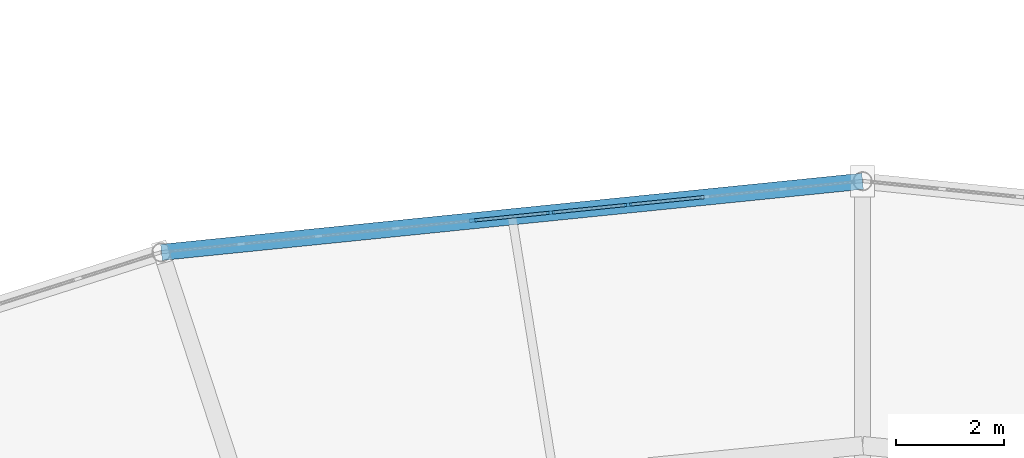
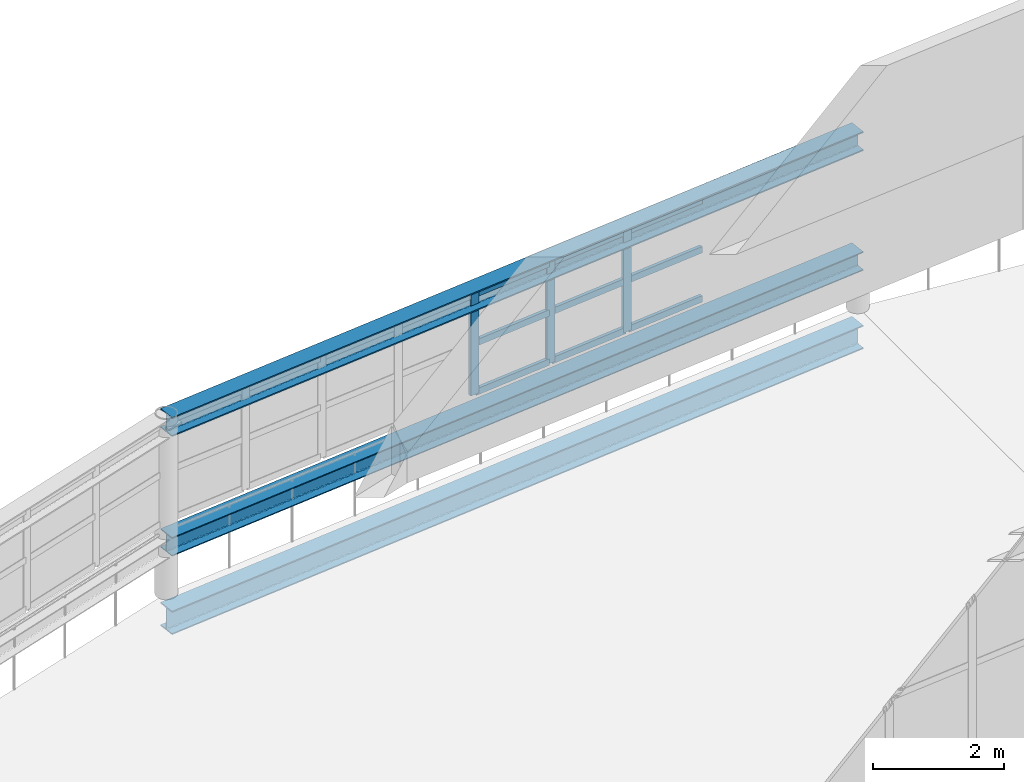
# One storey, part 72 of 123: 12 members, 3 beams, 1 element without a shape of its own.
"""IFC4 building model written with IfcOpenShell, lengths in metres."""

from ifc_helpers import new_model, si_unit, direction, frame, origin, origin_2d, place, context, subcontext, project, spatial, rectangle, i_section, extrude, material, material_profile, profile_set, type_object, element, aggregate, save


model = new_model("IFC4")

# Units and contexts
model_context = context("Model", 3, precision=1e-05, world=origin(), true_north=direction((0.0, 1.0)))
body_context = subcontext(model_context, "Body", "Model", "MODEL_VIEW")
ifc_project = project(units=[si_unit("LENGTHUNIT", "METRE"), si_unit("AREAUNIT", "SQUARE_METRE"), si_unit("VOLUMEUNIT", "CUBIC_METRE"), si_unit("PLANEANGLEUNIT", "RADIAN"), si_unit("MASSUNIT", "GRAM", prefix="KILO")], contexts=[model_context])

# Site, building, storey
site_placement = place(None, origin())
site = spatial("IfcSite", under=ifc_project, at=site_placement, CompositionType="ELEMENT")
building_placement = place(site_placement, origin())
building = spatial("IfcBuilding", under=site, at=building_placement, Name="Kildeholm Park Wholesale Market", CompositionType="ELEMENT")
storey_placement = place(building_placement, frame((0.0, 0.0, 9.60009765625)))
storey = spatial("IfcBuildingStorey", under=building, at=storey_placement, Name="L02", CompositionType="ELEMENT", Elevation=9.60009765625)

# Beams
ifc_material_1 = material(Name="Steel S355", Category="steel")
ifc_material_profile_1 = material_profile(ifc_material_1, i_section(OverallWidth=0.300048828125, OverallDepth=0.35009765625, WebThickness=0.010009765625, FlangeThickness=0.017578125, FilletRadius=0.027099609375, at=origin_2d()), Name="HEA 360")
ifc_profile_set_1 = profile_set([ifc_material_profile_1], Name="Steel S355")
beam_type_1 = type_object("IfcBeamType", Name="Beam B-R01 HEA 360", PredefinedType="BEAM", material=ifc_profile_set_1)
beam_1_placement = place(storey_placement, frame((99.0, 128.199951171875, 0.94775390625), z_axis=(-0.994887827563, -0.100986189979, 0.0), x_axis=(0.100986189979, -0.994887827563, 0.0)))
element("IfcBeam", 1, at=beam_1_placement, inside=storey, type_object=beam_type_1, Name="Beam BM-V1-S1IN-06 BM-0257", PredefinedType="BEAM", context=body_context, shape_type="SweptSolid", body=[
    extrude(i_section(OverallWidth=0.300048828125, OverallDepth=0.35009765625, WebThickness=0.010009765625, FlangeThickness=0.017578125, FilletRadius=0.027099609375, at=origin_2d()), origin(), (0.0, 0.0, 1.0), 13.0595703125),
])
ifc_material_profile_2 = material_profile(ifc_material_1, i_section(OverallWidth=0.300048828125, OverallDepth=0.43994140625, WebThickness=0.011474609375, FlangeThickness=0.02099609375, FilletRadius=0.027099609375, at=origin_2d()), Name="HEA 450")
ifc_profile_set_2 = profile_set([ifc_material_profile_2], Name="Steel S355")
beam_type_2 = type_object("IfcBeamType", Name="Beam B-R02 HEA 450", PredefinedType="BEAM", material=ifc_profile_set_2)
beam_2_placement = place(storey_placement, frame((99.0, 128.199951171875, -0.47412109375), z_axis=(-0.994887827563, -0.100986189979, 0.0), x_axis=(0.100986189979, -0.994887827563, 0.0)))
element("IfcBeam", 2, at=beam_2_placement, inside=storey, type_object=beam_type_2, Name="Beam BM-V1-L02-CM-06 BM-0063", PredefinedType="BEAM", context=body_context, shape_type="SweptSolid", body=[
    extrude(i_section(OverallWidth=0.300048828125, OverallDepth=0.43994140625, WebThickness=0.011474609375, FlangeThickness=0.02099609375, FilletRadius=0.027099609375, at=origin_2d()), origin(), (0.0, 0.0, 1.0), 13.0595703125),
])
ifc_material_profile_3 = material_profile(ifc_material_1, i_section(OverallWidth=0.300048828125, OverallDepth=0.360107421875, WebThickness=0.012451171875, FlangeThickness=0.0224609375, FilletRadius=0.027099609375, at=origin_2d()), Name="HEB 360")
ifc_profile_set_3 = profile_set([ifc_material_profile_3], Name="Steel S355")
beam_type_3 = type_object("IfcBeamType", Name="Beam B-R03 HEB 360", PredefinedType="BEAM", material=ifc_profile_set_3)
beam_3_placement = place(storey_placement, frame((99.0, 128.199951171875, 3.189697265625), z_axis=(-0.994887827563, -0.100986189979, 0.0), x_axis=(0.100986189979, -0.994887827563, 0.0)))
element("IfcBeam", 3, at=beam_3_placement, inside=storey, type_object=beam_type_3, Name="Beam BM-V1-RF-M1-06 BM-0258", PredefinedType="BEAM", context=body_context, shape_type="SweptSolid", body=[
    extrude(i_section(OverallWidth=0.300048828125, OverallDepth=0.360107421875, WebThickness=0.012451171875, FlangeThickness=0.0224609375, FilletRadius=0.027099609375, at=origin_2d()), origin(), (0.0, 0.0, 1.0), 13.0595703125),
])

# Curtain wall, members
ifc_material_2 = material(Name="Anodised aluminium and low-E double-glazed glass", Category="aluminium")
curtain_wall_type = type_object("IfcCurtainWallType", Name="Clerestory daylight stick curtain wall CW-02", PredefinedType="NOTDEFINED", material=ifc_material_2)
curtain_wall_placement = place(storey_placement, origin())
curtain_wall = element("IfcCurtainWall", 4, at=curtain_wall_placement, inside=storey, type_object=curtain_wall_type, Name="Curtain wall CW-V1-CL-06 CW-0031", PredefinedType="NOTDEFINED")
ifc_material_3 = material(Name="Anodised aluminium", Category="aluminium")
ifc_material_profile_4 = material_profile(ifc_material_3, rectangle(XDim=0.06005859375, YDim=0.14990234375, at=origin_2d()), Name="CWM 60x150")
ifc_profile_set_4 = profile_set([ifc_material_profile_4], Name="Anodised aluminium")
member_type_1 = type_object("IfcMemberType", Name="Curtain-wall mullion CWM-3 CWM 60x150", PredefinedType="MULLION", material=ifc_profile_set_4)
member_1_placement = place(storey_placement, frame((94.6552734375, 127.762939453125, 1.349853515625), z_axis=(0.0, 0.0, 1.0), x_axis=(0.100998628351, -0.994886564926, 0.0)))
member_1 = element("IfcMember", 5, at=member_1_placement, type_object=member_type_1, Name="CW-02 mullion 4 MEM-1239", PredefinedType="MULLION", context=body_context, shape_type="SweptSolid", body=[
    extrude(rectangle(XDim=0.06005859375, YDim=0.14990234375, at=origin_2d()), origin(), (0.0, 0.0, 1.0), 1.900146484375),
])
member_2_placement = place(storey_placement, frame((93.220458984375, 127.617431640625, 1.349853515625), z_axis=(0.0, 0.0, 1.0), x_axis=(0.100998628351, -0.994886564926, 0.0)))
member_2 = element("IfcMember", 6, at=member_2_placement, type_object=member_type_1, Name="CW-02 mullion 5 MEM-1240", PredefinedType="MULLION", context=body_context, shape_type="SweptSolid", body=[
    extrude(rectangle(XDim=0.06005859375, YDim=0.14990234375, at=origin_2d()), origin(), (0.0, 0.0, 1.0), 1.900146484375),
])
member_3_placement = place(storey_placement, frame((91.78564453125, 127.4716796875, 1.349853515625), z_axis=(0.0, 0.0, 1.0), x_axis=(0.100998628351, -0.994886564926, 0.0)))
member_3 = element("IfcMember", 7, at=member_3_placement, type_object=member_type_1, Name="CW-02 mullion 6 MEM-1241", PredefinedType="MULLION", context=body_context, shape_type="SweptSolid", body=[
    extrude(rectangle(XDim=0.06005859375, YDim=0.14990234375, at=origin_2d()), origin(), (0.0, 0.0, 1.0), 1.900146484375),
])
ifc_material_profile_5 = material_profile(ifc_material_3, rectangle(XDim=0.06005859375, YDim=0.1201171875, at=origin_2d()), Name="CWT 60x120")
ifc_profile_set_5 = profile_set([ifc_material_profile_5], Name="Anodised aluminium")
member_type_2 = type_object("IfcMemberType", Name="Curtain-wall transom CWT-3 CWT 60x120", PredefinedType="USERDEFINED", material=ifc_profile_set_5)
member_4_placement = place(storey_placement, frame((96.060302734375, 127.905517578125, 1.3798828125), z_axis=(-0.994901628094, -0.100850138406, 0.0), x_axis=(0.100850138406, -0.994901628094, 0.0)))
member_4 = element("IfcMember", 8, at=member_4_placement, type_object=member_type_2, Name="CW-02 transom 3.1 MEM-1252", ObjectType="TRANSOM", PredefinedType="USERDEFINED", context=body_context, shape_type="SweptSolid", body=[
    extrude(rectangle(XDim=0.06005859375, YDim=0.1201171875, at=origin_2d()), origin(), (0.0, 0.0, 1.0), 1.38232421875),
])
member_5_placement = place(storey_placement, frame((96.060302734375, 127.905517578125, 2.2998046875), z_axis=(-0.994901628094, -0.100850138406, 0.0), x_axis=(0.100850138406, -0.994901628094, 0.0)))
member_5 = element("IfcMember", 9, at=member_5_placement, type_object=member_type_2, Name="CW-02 transom 3.2 MEM-1253", ObjectType="TRANSOM", PredefinedType="USERDEFINED", context=body_context, shape_type="SweptSolid", body=[
    extrude(rectangle(XDim=0.06005859375, YDim=0.1201171875, at=origin_2d()), origin(), (0.0, 0.0, 1.0), 1.38232421875),
])
member_6_placement = place(storey_placement, frame((96.060302734375, 127.905517578125, 3.219970703125), z_axis=(-0.994901628094, -0.100850138406, 0.0), x_axis=(0.100850138406, -0.994901628094, 0.0)))
member_6 = element("IfcMember", 10, at=member_6_placement, type_object=member_type_2, Name="CW-02 transom 3.3 MEM-1254", ObjectType="TRANSOM", PredefinedType="USERDEFINED", context=body_context, shape_type="SweptSolid", body=[
    extrude(rectangle(XDim=0.06005859375, YDim=0.1201171875, at=origin_2d()), origin(), (0.0, 0.0, 1.0), 1.38232421875),
])
member_7_placement = place(storey_placement, frame((94.62548828125, 127.760009765625, 1.3798828125), z_axis=(-0.994883891691, -0.10102495758, 0.0), x_axis=(0.10102495758, -0.994883891691, 0.0)))
member_7 = element("IfcMember", 11, at=member_7_placement, type_object=member_type_2, Name="CW-02 transom 4.1 MEM-1255", ObjectType="TRANSOM", PredefinedType="USERDEFINED", context=body_context, shape_type="SweptSolid", body=[
    extrude(rectangle(XDim=0.06005859375, YDim=0.1201171875, at=origin_2d()), origin(), (0.0, 0.0, 1.0), 1.38232421875),
])
member_8_placement = place(storey_placement, frame((94.62548828125, 127.760009765625, 2.2998046875), z_axis=(-0.994883891691, -0.10102495758, 0.0), x_axis=(0.10102495758, -0.994883891691, 0.0)))
member_8 = element("IfcMember", 12, at=member_8_placement, type_object=member_type_2, Name="CW-02 transom 4.2 MEM-1256", ObjectType="TRANSOM", PredefinedType="USERDEFINED", context=body_context, shape_type="SweptSolid", body=[
    extrude(rectangle(XDim=0.06005859375, YDim=0.1201171875, at=origin_2d()), origin(), (0.0, 0.0, 1.0), 1.38232421875),
])
member_9_placement = place(storey_placement, frame((94.62548828125, 127.760009765625, 3.219970703125), z_axis=(-0.994883891691, -0.10102495758, 0.0), x_axis=(0.10102495758, -0.994883891691, 0.0)))
member_9 = element("IfcMember", 13, at=member_9_placement, type_object=member_type_2, Name="CW-02 transom 4.3 MEM-1257", ObjectType="TRANSOM", PredefinedType="USERDEFINED", context=body_context, shape_type="SweptSolid", body=[
    extrude(rectangle(XDim=0.06005859375, YDim=0.1201171875, at=origin_2d()), origin(), (0.0, 0.0, 1.0), 1.38232421875),
])
member_10_placement = place(storey_placement, frame((93.190673828125, 127.6142578125, 1.3798828125), z_axis=(-0.994883891691, -0.10102495758, 0.0), x_axis=(0.10102495758, -0.994883891691, 0.0)))
member_10 = element("IfcMember", 14, at=member_10_placement, type_object=member_type_2, Name="CW-02 transom 5.1 MEM-1258", ObjectType="TRANSOM", PredefinedType="USERDEFINED", context=body_context, shape_type="SweptSolid", body=[
    extrude(rectangle(XDim=0.06005859375, YDim=0.1201171875, at=origin_2d()), origin(), (0.0, 0.0, 1.0), 1.38232421875),
])
member_11_placement = place(storey_placement, frame((93.190673828125, 127.6142578125, 2.2998046875), z_axis=(-0.994883891691, -0.10102495758, 0.0), x_axis=(0.10102495758, -0.994883891691, 0.0)))
member_11 = element("IfcMember", 15, at=member_11_placement, type_object=member_type_2, Name="CW-02 transom 5.2 MEM-1259", ObjectType="TRANSOM", PredefinedType="USERDEFINED", context=body_context, shape_type="SweptSolid", body=[
    extrude(rectangle(XDim=0.06005859375, YDim=0.1201171875, at=origin_2d()), origin(), (0.0, 0.0, 1.0), 1.38232421875),
])
member_12_placement = place(storey_placement, frame((93.190673828125, 127.6142578125, 3.219970703125), z_axis=(-0.994883891691, -0.10102495758, 0.0), x_axis=(0.10102495758, -0.994883891691, 0.0)))
member_12 = element("IfcMember", 16, at=member_12_placement, type_object=member_type_2, Name="CW-02 transom 5.3 MEM-1260", ObjectType="TRANSOM", PredefinedType="USERDEFINED", context=body_context, shape_type="SweptSolid", body=[
    extrude(rectangle(XDim=0.06005859375, YDim=0.1201171875, at=origin_2d()), origin(), (0.0, 0.0, 1.0), 1.38232421875),
])
aggregate(curtain_wall, [member_1, member_2, member_3, member_4, member_5, member_6, member_7, member_8, member_9, member_10, member_11, member_12])

save(model, "model.ifc")
